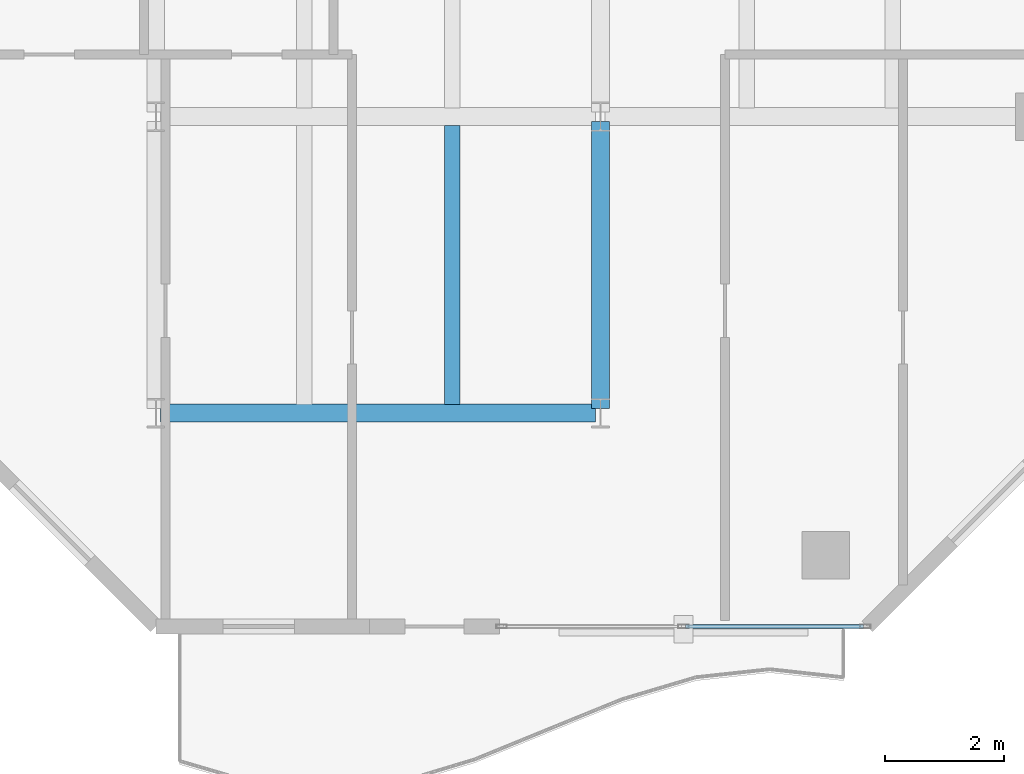
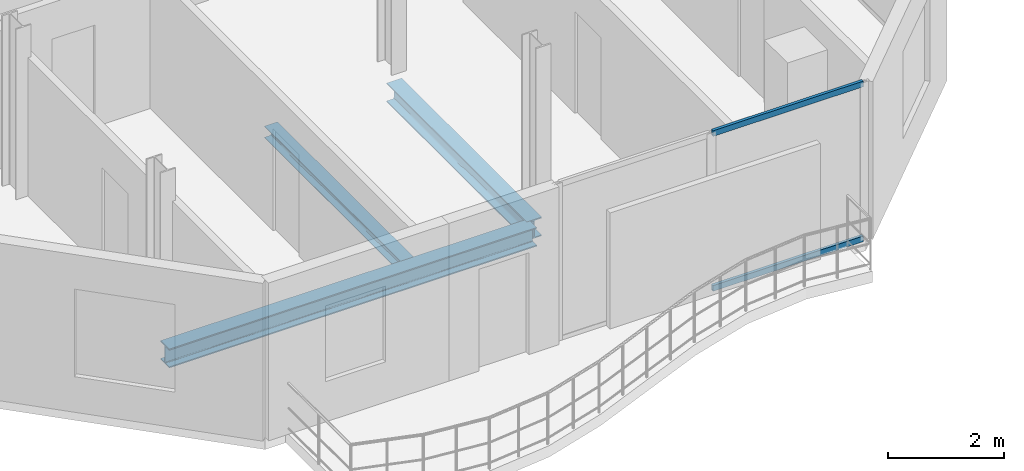
# One storey, part 4 of 23: 3 beams, 2 members, 1 element without a shape of its own.
"""IFC4 building model written with IfcOpenShell, lengths in metres."""

from ifc_helpers import new_model, si_unit, direction, frame, origin, origin_2d, place, context, subcontext, project, spatial, hollow_rectangle, i_section, extrude, material, layer, layer_set, material_profile, profile_set, type_object, element, aggregate, save


model = new_model("IFC4")

# Units and contexts
model_context = context("Model", 3, precision=1e-05, world=origin(), true_north=direction((0.0, 1.0)))
body_context = subcontext(model_context, "Body", "Model", "MODEL_VIEW")
ifc_project = project(units=[si_unit("LENGTHUNIT", "METRE"), si_unit("AREAUNIT", "SQUARE_METRE"), si_unit("VOLUMEUNIT", "CUBIC_METRE"), si_unit("PLANEANGLEUNIT", "RADIAN"), si_unit("MASSUNIT", "GRAM", prefix="KILO")], contexts=[model_context])

# Site, building, storey
site_placement = place(None, origin())
site = spatial("IfcSite", under=ifc_project, at=site_placement, CompositionType="ELEMENT")
building_placement = place(site_placement, origin())
building = spatial("IfcBuilding", under=site, at=building_placement, Name="Catumbela Crestline Tower", CompositionType="ELEMENT")
storey_placement = place(building_placement, frame((0.0, 0.0, 183.0)))
storey = spatial("IfcBuildingStorey", under=building, at=storey_placement, Name="L47", CompositionType="ELEMENT", Elevation=183.0)

# Beams
ifc_material_1 = material(Name="Structural steel S355J2", Category="steel")
ifc_material_profile_1 = material_profile(ifc_material_1, i_section(OverallWidth=0.3, OverallDepth=0.4, WebThickness=0.0135, FlangeThickness=0.024, FilletRadius=0.027, at=origin_2d()), Name="HEB 400")
ifc_profile_set_1 = profile_set([ifc_material_profile_1], Name="Structural steel S355J2")
beam_type_1 = type_object("IfcBeamType", Name="BG-HEB400", PredefinedType="BEAM", material=ifc_profile_set_1)
beam_1_placement = place(storey_placement, frame((8.58, 8.6, -0.46), z_axis=(1.0, 0.0, 0.0), x_axis=(0.0, 1.0, 0.0)))
element("IfcBeam", 1, at=beam_1_placement, inside=storey, type_object=beam_type_1, Name="L47 Beam BM-L47-WEW32", PredefinedType="BEAM", context=body_context, shape_type="SweptSolid", body=[
    extrude(i_section(OverallWidth=0.3, OverallDepth=0.4, WebThickness=0.0135, FlangeThickness=0.024, FilletRadius=0.027, at=origin_2d()), origin(), (0.0, 0.0, 1.0), 7.34),
])
beam_2_placement = place(storey_placement, frame((16.0, 8.68, -0.46), z_axis=(0.0, 1.0, 0.0), x_axis=(-1.0, 0.0, 0.0)))
element("IfcBeam", 2, at=beam_2_placement, inside=storey, type_object=beam_type_1, Name="L47 Beam BM-L47-WNS40", PredefinedType="BEAM", context=body_context, shape_type="SweptSolid", body=[
    extrude(i_section(OverallWidth=0.3, OverallDepth=0.4, WebThickness=0.0135, FlangeThickness=0.024, FilletRadius=0.027, at=origin_2d()), origin(), (0.0, 0.0, 1.0), 4.84),
])
ifc_material_profile_2 = material_profile(ifc_material_1, i_section(OverallWidth=0.26, OverallDepth=0.25, WebThickness=0.0075, FlangeThickness=0.0125, FilletRadius=0.024, at=origin_2d()), Name="HEA 260")
ifc_profile_set_2 = profile_set([ifc_material_profile_2], Name="Structural steel S355J2")
beam_type_2 = type_object("IfcBeamType", Name="BJ-HEA260", PredefinedType="JOIST", material=ifc_profile_set_2)
beam_3_placement = place(storey_placement, frame((13.5, 8.747, -0.385), z_axis=(0.0, 1.0, 0.0), x_axis=(-1.0, 0.0, 0.0)))
element("IfcBeam", 3, at=beam_3_placement, inside=storey, type_object=beam_type_2, Name="L47 Joist JS-L47-WG45", PredefinedType="JOIST", context=body_context, shape_type="SweptSolid", body=[
    extrude(i_section(OverallWidth=0.26, OverallDepth=0.25, WebThickness=0.0075, FlangeThickness=0.0125, FilletRadius=0.024, at=origin_2d()), origin(), (0.0, 0.0, 1.0), 4.706),
])

# Curtain wall, members
ifc_material_2 = material(Name="Aluminium alloy AW-6060-T66", Category="aluminium")
ifc_layer = layer(ifc_material_2, 0.18, Name="Aluminium alloy AW-6060-T66")
ifc_layer_set = layer_set([ifc_layer], Name="Aluminium alloy AW-6060-T66")
curtain_wall_type = type_object("IfcCurtainWallType", Name="CWU-Z3", PredefinedType="USERDEFINED", material=ifc_layer_set)
curtain_wall_placement = place(storey_placement, origin())
curtain_wall = element("IfcCurtainWall", 4, at=curtain_wall_placement, inside=storey, type_object=curtain_wall_type, Name="L47 Unitised Curtain Wall CW-L47-E0S2", ObjectType="UNITISED", PredefinedType="USERDEFINED")
ifc_material_profile_3 = material_profile(ifc_material_2, hollow_rectangle(XDim=0.06, YDim=0.12, WallThickness=0.0035, at=origin_2d()), Name="ALU 120x60x3.5")
ifc_profile_set_3 = profile_set([ifc_material_profile_3], Name="Aluminium alloy AW-6060-T66")
member_type = type_object("IfcMemberType", Name="TRN-120X60", PredefinedType="USERDEFINED", material=ifc_profile_set_3)
member_1_placement = place(storey_placement, frame((17.4325, 5.0, 0.03), z_axis=(1.0, 0.0, 0.0), x_axis=(0.0, 1.0, 0.0)))
member_1 = element("IfcMember", 5, at=member_1_placement, type_object=member_type, Name="CWU-Z3 transom 2.1", ObjectType="TRANSOM", PredefinedType="USERDEFINED", context=body_context, shape_type="SweptSolid", body=[
    extrude(hollow_rectangle(XDim=0.06, YDim=0.12, WallThickness=0.0035, at=origin_2d()), origin(), (0.0, 0.0, 1.0), 3.0025),
])
member_2_placement = place(storey_placement, frame((17.4325, 5.0, 3.3), z_axis=(1.0, 0.0, 0.0), x_axis=(0.0, 1.0, 0.0)))
member_2 = element("IfcMember", 6, at=member_2_placement, type_object=member_type, Name="CWU-Z3 transom 2.2", ObjectType="TRANSOM", PredefinedType="USERDEFINED", context=body_context, shape_type="SweptSolid", body=[
    extrude(hollow_rectangle(XDim=0.06, YDim=0.12, WallThickness=0.0035, at=origin_2d()), origin(), (0.0, 0.0, 1.0), 3.0025),
])
aggregate(curtain_wall, [member_1, member_2])

save(model, "model.ifc")
